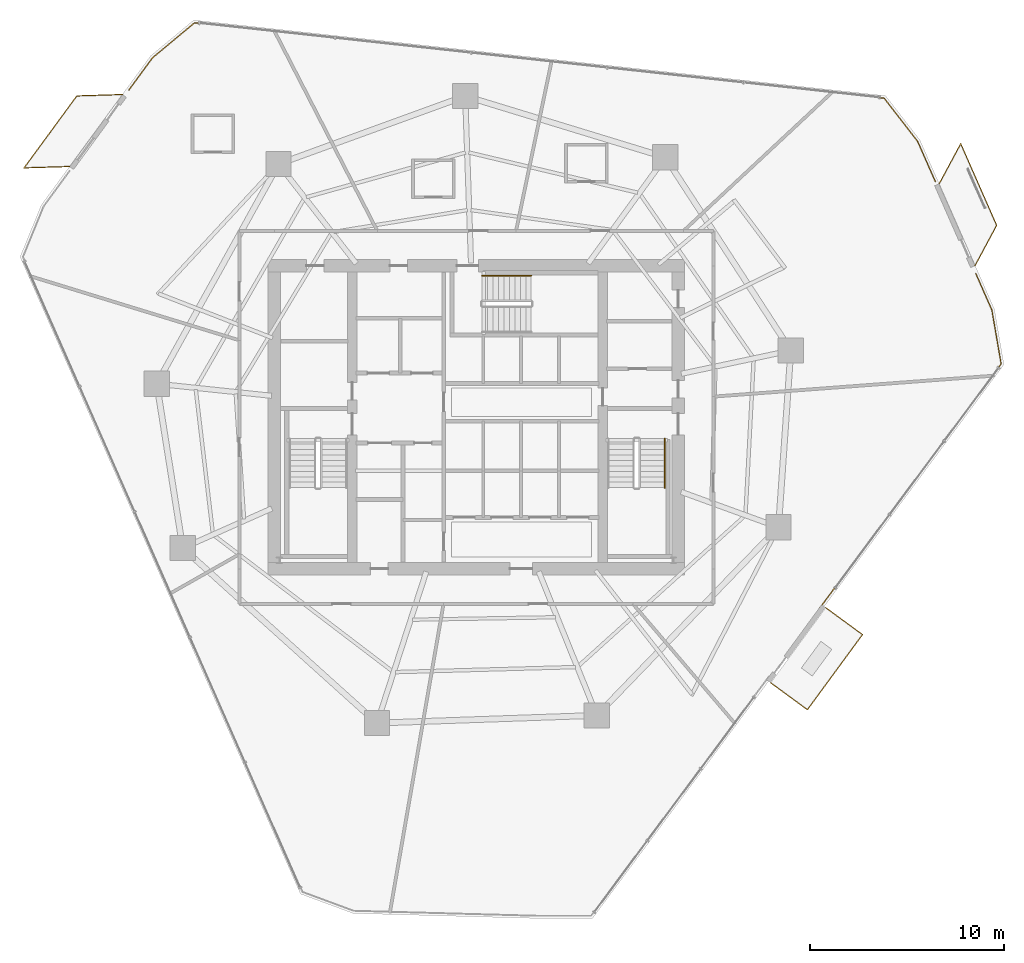
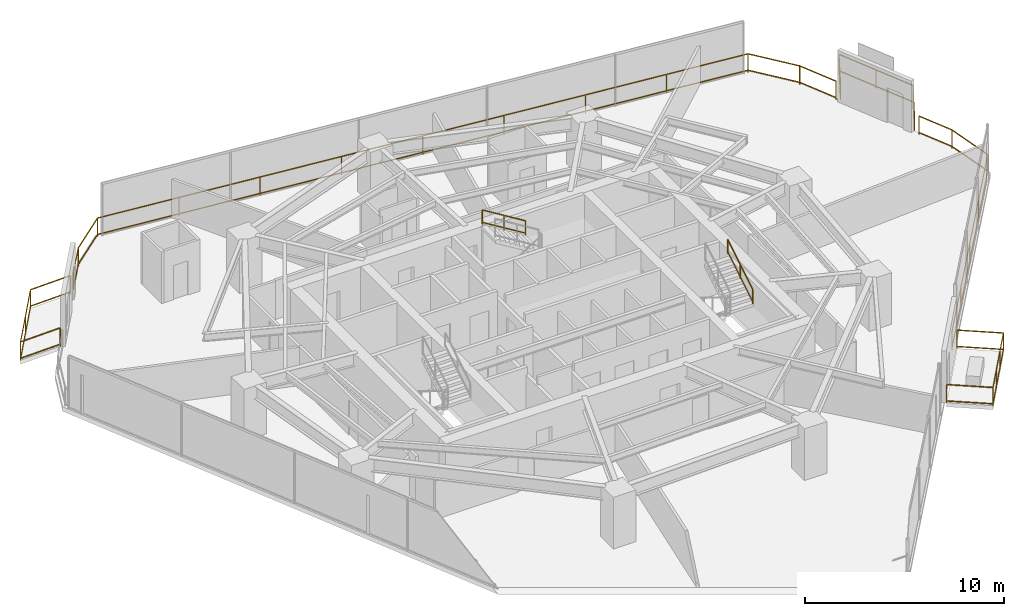
# One storey, part 28 of 28: 8 railings.
"""IFC4 building model written with IfcOpenShell, lengths in metres."""

from ifc_helpers import new_model, si_unit, direction, frame, origin, origin_2d, place, context, subcontext, project, spatial, rectangle, extrude, material, type_object, element, save


model = new_model("IFC4")

# Units and contexts
model_context = context("Model", 3, precision=1e-05, world=origin(), true_north=direction((0.0, 1.0)))
body_context = subcontext(model_context, "Body", "Model", "MODEL_VIEW")
ifc_project = project(units=[si_unit("LENGTHUNIT", "METRE"), si_unit("AREAUNIT", "SQUARE_METRE"), si_unit("VOLUMEUNIT", "CUBIC_METRE"), si_unit("PLANEANGLEUNIT", "RADIAN"), si_unit("MASSUNIT", "GRAM", prefix="KILO")], contexts=[model_context])

# Site, building, storey
site_placement = place(None, origin())
site = spatial("IfcSite", under=ifc_project, at=site_placement, CompositionType="ELEMENT")
building_placement = place(site_placement, origin())
building = spatial("IfcBuilding", under=site, at=building_placement, Name="Qarnah Convention Tower", CompositionType="ELEMENT")
storey_placement = place(building_placement, frame((0.0, 0.0, 44.25)))
storey = spatial("IfcBuildingStorey", under=building, at=storey_placement, Name="L10", CompositionType="ELEMENT", Elevation=44.25)

# Railings
ifc_material_1 = material(Name="Black anodised aluminium", Category="aluminium")
railing_type_1 = type_object("IfcRailingType", Name="RL-EXT-GUARD-1150", PredefinedType="GUARDRAIL", material=ifc_material_1)
railing_1_placement = place(storey_placement, frame((59.9169921875, 40.60693359375, 0.0)))
element("IfcRailing", 1, at=railing_1_placement, inside=storey, type_object=railing_type_1, Name="L10 slab-edge perimeter safety guard 01", PredefinedType="GUARDRAIL", context=body_context, shape_type="SweptSolid", body=[
    extrude(rectangle(XDim=0.048095703125, YDim=0.048095703125, at=origin_2d()), frame((0.0, 0.0, 1.1259765625), z_axis=(0.402980270888, -0.915208665428, 0.0), x_axis=(0.915208665428, 0.402980270888, 0.0)), (0.0, 0.0, 1.0), 2.268310546875),
    extrude(rectangle(XDim=0.048095703125, YDim=0.048095703125, at=origin_2d()), frame((0.0, 0.0, 0.1201171875), z_axis=(0.402980270888, -0.915208665428, 0.0), x_axis=(0.915208665428, 0.402980270888, 0.0)), (0.0, 0.0, 1.0), 2.268310546875),
    extrude(rectangle(XDim=0.0419921875, YDim=0.0419921875, at=origin_2d()), origin(), (0.0, 0.0, 1.0), 1.101806640625),
    extrude(rectangle(XDim=0.0419921875, YDim=0.0419921875, at=origin_2d()), frame((0.9140625, -2.075927734375, 0.0)), (0.0, 0.0, 1.0), 1.101806640625),
])
railing_2_placement = place(storey_placement, frame((62.908935546875, 33.80810546875, 0.0)))
element("IfcRailing", 2, at=railing_2_placement, inside=storey, type_object=railing_type_1, Name="L10 slab-edge perimeter safety guard 02", PredefinedType="GUARDRAIL", context=body_context, shape_type="SweptSolid", body=[
    extrude(rectangle(XDim=0.048095703125, YDim=0.048095703125, at=origin_2d()), frame((0.0, 0.0, 1.1259765625), z_axis=(0.402965262482, -0.915215273711, 0.0), x_axis=(0.915215273711, 0.402965262482, 0.0)), (0.0, 0.0, 1.0), 2.0576171875),
    extrude(rectangle(XDim=0.048095703125, YDim=0.048095703125, at=origin_2d()), frame((0.0, 0.0, 0.1201171875), z_axis=(0.402965262482, -0.915215273711, 0.0), x_axis=(0.915215273711, 0.402965262482, 0.0)), (0.0, 0.0, 1.0), 2.0576171875),
    extrude(rectangle(XDim=0.048095703125, YDim=0.048095703125, at=origin_2d()), frame((0.8291015625, -1.883056640625, 1.1259765625), z_axis=(0.169604616583, -0.985512188679, 0.0), x_axis=(0.985512188679, 0.169604616583, 0.0)), (0.0, 0.0, 1.0), 2.812744140625),
    extrude(rectangle(XDim=0.048095703125, YDim=0.048095703125, at=origin_2d()), frame((0.8291015625, -1.883056640625, 0.1201171875), z_axis=(0.169604616583, -0.985512188679, 0.0), x_axis=(0.985512188679, 0.169604616583, 0.0)), (0.0, 0.0, 1.0), 2.812744140625),
    extrude(rectangle(XDim=0.048095703125, YDim=0.048095703125, at=origin_2d()), frame((1.30615234375, -4.655029296875, 1.1259765625), z_axis=(-0.596339214939, -0.802732546199, 0.0), x_axis=(0.802732546199, -0.596339214939, 0.0)), (0.0, 0.0, 1.0), 15.6591796875),
    extrude(rectangle(XDim=0.048095703125, YDim=0.048095703125, at=origin_2d()), frame((1.30615234375, -4.655029296875, 0.1201171875), z_axis=(-0.596339214939, -0.802732546199, 0.0), x_axis=(0.802732546199, -0.596339214939, 0.0)), (0.0, 0.0, 1.0), 15.6591796875),
    extrude(rectangle(XDim=0.0419921875, YDim=0.0419921875, at=origin_2d()), origin(), (0.0, 0.0, 1.0), 1.101806640625),
    extrude(rectangle(XDim=0.0419921875, YDim=0.0419921875, at=origin_2d()), frame((0.8291015625, -1.883056640625, 0.0)), (0.0, 0.0, 1.0), 1.101806640625),
    extrude(rectangle(XDim=0.0419921875, YDim=0.0419921875, at=origin_2d()), frame((1.30615234375, -4.655029296875, 0.0)), (0.0, 0.0, 1.0), 1.101806640625),
    extrude(rectangle(XDim=0.0419921875, YDim=0.0419921875, at=origin_2d()), frame((-1.0283203125, -7.797607421875, 0.0)), (0.0, 0.0, 1.0), 1.101806640625),
    extrude(rectangle(XDim=0.0419921875, YDim=0.0419921875, at=origin_2d()), frame((-3.36279296875, -10.93994140625, 0.0)), (0.0, 0.0, 1.0), 1.101806640625),
    extrude(rectangle(XDim=0.0419921875, YDim=0.0419921875, at=origin_2d()), frame((-5.697509765625, -14.08251953125, 0.0)), (0.0, 0.0, 1.0), 1.101806640625),
    extrude(rectangle(XDim=0.0419921875, YDim=0.0419921875, at=origin_2d()), frame((-8.031982421875, -17.22509765625, 0.0)), (0.0, 0.0, 1.0), 1.101806640625),
])
railing_3_placement = place(storey_placement, frame((19.30908203125, 43.2548828125, 0.0)))
element("IfcRailing", 3, at=railing_3_placement, inside=storey, type_object=railing_type_1, Name="L10 slab-edge perimeter safety guard 04", PredefinedType="GUARDRAIL", context=body_context, shape_type="SweptSolid", body=[
    extrude(rectangle(XDim=0.048095703125, YDim=0.048095703125, at=origin_2d()), frame((0.0, 0.0, 1.1259765625), z_axis=(0.591301892073, 0.806450291358, 0.0), x_axis=(-0.806450291358, 0.591301892073, 0.0)), (0.0, 0.0, 1.0), 2.05615234375),
    extrude(rectangle(XDim=0.048095703125, YDim=0.048095703125, at=origin_2d()), frame((0.0, 0.0, 0.1201171875), z_axis=(0.591301892073, 0.806450291358, 0.0), x_axis=(-0.806450291358, 0.591301892073, 0.0)), (0.0, 0.0, 1.0), 2.05615234375),
    extrude(rectangle(XDim=0.048095703125, YDim=0.048095703125, at=origin_2d()), frame((1.2158203125, 1.658203125, 1.1259765625), z_axis=(0.7687333176, 0.639569453938, 0.0), x_axis=(-0.639569453938, 0.7687333176, 0.0)), (0.0, 0.0, 1.0), 2.8125),
    extrude(rectangle(XDim=0.048095703125, YDim=0.048095703125, at=origin_2d()), frame((1.2158203125, 1.658203125, 0.1201171875), z_axis=(0.7687333176, 0.639569453938, 0.0), x_axis=(-0.639569453938, 0.7687333176, 0.0)), (0.0, 0.0, 1.0), 2.8125),
    extrude(rectangle(XDim=0.048095703125, YDim=0.048095703125, at=origin_2d()), frame((3.3779296875, 3.45703125, 1.1259765625), z_axis=(0.99407698881, -0.108678150141, 0.0), x_axis=(0.108678150141, 0.99407698881, 0.0)), (0.0, 0.0, 1.0), 35.71875),
    extrude(rectangle(XDim=0.048095703125, YDim=0.048095703125, at=origin_2d()), frame((3.3779296875, 3.45703125, 0.1201171875), z_axis=(0.99407698881, -0.108678150141, 0.0), x_axis=(0.108678150141, 0.99407698881, 0.0)), (0.0, 0.0, 1.0), 35.71875),
    extrude(rectangle(XDim=0.048095703125, YDim=0.048095703125, at=origin_2d()), frame((38.885009765625, -0.4248046875, 1.1259765625), z_axis=(0.612563530869, -0.790421356397, 0.0), x_axis=(0.790421356397, 0.612563530869, 0.0)), (0.0, 0.0, 1.0), 2.8125),
    extrude(rectangle(XDim=0.048095703125, YDim=0.048095703125, at=origin_2d()), frame((38.885009765625, -0.4248046875, 0.1201171875), z_axis=(0.612563530869, -0.790421356397, 0.0), x_axis=(0.790421356397, 0.612563530869, 0.0)), (0.0, 0.0, 1.0), 2.8125),
    extrude(rectangle(XDim=0.0419921875, YDim=0.0419921875, at=origin_2d()), origin(), (0.0, 0.0, 1.0), 1.101806640625),
    extrude(rectangle(XDim=0.0419921875, YDim=0.0419921875, at=origin_2d()), frame((1.2158203125, 1.658203125, 0.0)), (0.0, 0.0, 1.0), 1.101806640625),
    extrude(rectangle(XDim=0.0419921875, YDim=0.0419921875, at=origin_2d()), frame((3.3779296875, 3.45703125, 0.0)), (0.0, 0.0, 1.0), 1.101806640625),
    extrude(rectangle(XDim=0.0419921875, YDim=0.0419921875, at=origin_2d()), frame((7.81640625, 2.9716796875, 0.0)), (0.0, 0.0, 1.0), 1.101806640625),
    extrude(rectangle(XDim=0.0419921875, YDim=0.0419921875, at=origin_2d()), frame((12.254638671875, 2.486572265625, 0.0)), (0.0, 0.0, 1.0), 1.101806640625),
    extrude(rectangle(XDim=0.0419921875, YDim=0.0419921875, at=origin_2d()), frame((16.693115234375, 2.00146484375, 0.0)), (0.0, 0.0, 1.0), 1.101806640625),
    extrude(rectangle(XDim=0.0419921875, YDim=0.0419921875, at=origin_2d()), frame((21.13134765625, 1.51611328125, 0.0)), (0.0, 0.0, 1.0), 1.101806640625),
    extrude(rectangle(XDim=0.0419921875, YDim=0.0419921875, at=origin_2d()), frame((25.56982421875, 1.03076171875, 0.0)), (0.0, 0.0, 1.0), 1.101806640625),
    extrude(rectangle(XDim=0.0419921875, YDim=0.0419921875, at=origin_2d()), frame((30.00830078125, 0.545654296875, 0.0)), (0.0, 0.0, 1.0), 1.101806640625),
    extrude(rectangle(XDim=0.0419921875, YDim=0.0419921875, at=origin_2d()), frame((34.446533203125, 0.060546875, 0.0)), (0.0, 0.0, 1.0), 1.101806640625),
    extrude(rectangle(XDim=0.0419921875, YDim=0.0419921875, at=origin_2d()), frame((38.885009765625, -0.4248046875, 0.0)), (0.0, 0.0, 1.0), 1.101806640625),
    extrude(rectangle(XDim=0.0419921875, YDim=0.0419921875, at=origin_2d()), frame((40.60791015625, -2.64794921875, 0.0)), (0.0, 0.0, 1.0), 1.101806640625),
])
railing_4_placement = place(storey_placement, frame((61.02392578125, 38.426025390625, 0.0)))
element("IfcRailing", 4, at=railing_4_placement, inside=storey, type_object=railing_type_1, Name="L10 balcony safety guard BAL-L10-C1", PredefinedType="GUARDRAIL", context=body_context, shape_type="SweptSolid", body=[
    extrude(rectangle(XDim=0.048095703125, YDim=0.048095703125, at=origin_2d()), frame((0.0, 0.0, 1.1259765625), z_axis=(0.473311987014, 0.880894864867, 0.0), x_axis=(-0.880894864867, 0.473311987014, 0.0)), (0.0, 0.0, 1.0), 2.347412109375),
    extrude(rectangle(XDim=0.048095703125, YDim=0.048095703125, at=origin_2d()), frame((0.0, 0.0, 0.1201171875), z_axis=(0.473311987014, 0.880894864867, 0.0), x_axis=(-0.880894864867, 0.473311987014, 0.0)), (0.0, 0.0, 1.0), 2.347412109375),
    extrude(rectangle(XDim=0.048095703125, YDim=0.048095703125, at=origin_2d()), frame((1.111083984375, 2.06787109375, 1.1259765625), z_axis=(0.402856006922, -0.915263370668, 0.0), x_axis=(0.915263370668, 0.402856006922, 0.0)), (0.0, 0.0, 1.0), 4.599609375),
    extrude(rectangle(XDim=0.048095703125, YDim=0.048095703125, at=origin_2d()), frame((1.111083984375, 2.06787109375, 0.1201171875), z_axis=(0.402856006922, -0.915263370668, 0.0), x_axis=(0.915263370668, 0.402856006922, 0.0)), (0.0, 0.0, 1.0), 4.599609375),
    extrude(rectangle(XDim=0.048095703125, YDim=0.048095703125, at=origin_2d()), frame((2.964111328125, -2.14208984375, 1.1259765625), z_axis=(-0.472815735599, -0.881161324713, 0.0), x_axis=(0.881161324713, -0.472815735599, 0.0)), (0.0, 0.0, 1.0), 2.347900390625),
    extrude(rectangle(XDim=0.048095703125, YDim=0.048095703125, at=origin_2d()), frame((2.964111328125, -2.14208984375, 0.1201171875), z_axis=(-0.472815735599, -0.881161324713, 0.0), x_axis=(0.881161324713, -0.472815735599, 0.0)), (0.0, 0.0, 1.0), 2.347900390625),
    extrude(rectangle(XDim=0.0419921875, YDim=0.0419921875, at=origin_2d()), origin(), (0.0, 0.0, 1.0), 1.101806640625),
    extrude(rectangle(XDim=0.0419921875, YDim=0.0419921875, at=origin_2d()), frame((1.111083984375, 2.06787109375, 0.0)), (0.0, 0.0, 1.0), 1.101806640625),
    extrude(rectangle(XDim=0.0419921875, YDim=0.0419921875, at=origin_2d()), frame((2.03759765625, -0.037109375, 0.0)), (0.0, 0.0, 1.0), 1.101806640625),
    extrude(rectangle(XDim=0.0419921875, YDim=0.0419921875, at=origin_2d()), frame((2.964111328125, -2.14208984375, 0.0)), (0.0, 0.0, 1.0), 1.101806640625),
    extrude(rectangle(XDim=0.0419921875, YDim=0.0419921875, at=origin_2d()), frame((1.85400390625, -4.2109375, 0.0)), (0.0, 0.0, 1.0), 1.101806640625),
])
railing_5_placement = place(storey_placement, frame((16.251953125, 39.31298828125, 0.0)))
element("IfcRailing", 5, at=railing_5_placement, inside=storey, type_object=railing_type_1, Name="L10 balcony safety guard BAL-L10-C2", PredefinedType="GUARDRAIL", context=body_context, shape_type="SweptSolid", body=[
    extrude(rectangle(XDim=0.048095703125, YDim=0.048095703125, at=origin_2d()), frame((0.0, 0.0, 1.1259765625), z_axis=(-0.999529076042, -0.030685927509, 0.0), x_axis=(0.030685927509, -0.999529076042, 0.0)), (0.0, 0.0, 1.0), 2.34716796875),
    extrude(rectangle(XDim=0.048095703125, YDim=0.048095703125, at=origin_2d()), frame((0.0, 0.0, 0.1201171875), z_axis=(-0.999529076042, -0.030685927509, 0.0), x_axis=(0.030685927509, -0.999529076042, 0.0)), (0.0, 0.0, 1.0), 2.34716796875),
    extrude(rectangle(XDim=0.048095703125, YDim=0.048095703125, at=origin_2d()), frame((-2.345947265625, -0.072021484375, 1.1259765625), z_axis=(0.591131230455, 0.806575395348, 0.0), x_axis=(-0.806575395348, 0.591131230455, 0.0)), (0.0, 0.0, 1.0), 4.599609375),
    extrude(rectangle(XDim=0.048095703125, YDim=0.048095703125, at=origin_2d()), frame((-2.345947265625, -0.072021484375, 0.1201171875), z_axis=(0.591131230455, 0.806575395348, 0.0), x_axis=(-0.806575395348, 0.591131230455, 0.0)), (0.0, 0.0, 1.0), 4.599609375),
    extrude(rectangle(XDim=0.048095703125, YDim=0.048095703125, at=origin_2d()), frame((0.373046875, 3.637939453125, 1.1259765625), z_axis=(0.999516630192, 0.031088679125, 0.0), x_axis=(-0.031088679125, 0.999516630192, 0.0)), (0.0, 0.0, 1.0), 2.34814453125),
    extrude(rectangle(XDim=0.048095703125, YDim=0.048095703125, at=origin_2d()), frame((0.373046875, 3.637939453125, 0.1201171875), z_axis=(0.999516630192, 0.031088679125, 0.0), x_axis=(-0.031088679125, 0.999516630192, 0.0)), (0.0, 0.0, 1.0), 2.34814453125),
    extrude(rectangle(XDim=0.0419921875, YDim=0.0419921875, at=origin_2d()), origin(), (0.0, 0.0, 1.0), 1.101806640625),
    extrude(rectangle(XDim=0.0419921875, YDim=0.0419921875, at=origin_2d()), frame((-2.345947265625, -0.072021484375, 0.0)), (0.0, 0.0, 1.0), 1.101806640625),
    extrude(rectangle(XDim=0.0419921875, YDim=0.0419921875, at=origin_2d()), frame((-0.986328125, 1.782958984375, 0.0)), (0.0, 0.0, 1.0), 1.101806640625),
    extrude(rectangle(XDim=0.0419921875, YDim=0.0419921875, at=origin_2d()), frame((0.373046875, 3.637939453125, 0.0)), (0.0, 0.0, 1.0), 1.101806640625),
    extrude(rectangle(XDim=0.0419921875, YDim=0.0419921875, at=origin_2d()), frame((2.719970703125, 3.7109375, 0.0)), (0.0, 0.0, 1.0), 1.101806640625),
])
railing_6_placement = place(storey_placement, frame((55.18603515625, 16.60400390625, 0.0)))
element("IfcRailing", 6, at=railing_6_placement, inside=storey, type_object=railing_type_1, Name="L10 balcony safety guard VN-L10", PredefinedType="GUARDRAIL", context=body_context, shape_type="SweptSolid", body=[
    extrude(rectangle(XDim=0.048095703125, YDim=0.048095703125, at=origin_2d()), frame((0.0, 0.0, 1.1259765625), z_axis=(0.806560234507, -0.591151916273, 0.0), x_axis=(0.591151916273, 0.806560234507, 0.0)), (0.0, 0.0, 1.0), 2.349609375),
    extrude(rectangle(XDim=0.048095703125, YDim=0.048095703125, at=origin_2d()), frame((0.0, 0.0, 0.1201171875), z_axis=(0.806560234507, -0.591151916273, 0.0), x_axis=(0.591151916273, 0.806560234507, 0.0)), (0.0, 0.0, 1.0), 2.349609375),
    extrude(rectangle(XDim=0.048095703125, YDim=0.048095703125, at=origin_2d()), frame((1.89501953125, -1.388916015625, 1.1259765625), z_axis=(-0.591273254528, -0.806471288069, 0.0), x_axis=(0.806471288069, -0.591273254528, 0.0)), (0.0, 0.0, 1.0), 4.800048828125),
    extrude(rectangle(XDim=0.048095703125, YDim=0.048095703125, at=origin_2d()), frame((1.89501953125, -1.388916015625, 0.1201171875), z_axis=(-0.591273254528, -0.806471288069, 0.0), x_axis=(0.806471288069, -0.591273254528, 0.0)), (0.0, 0.0, 1.0), 4.800048828125),
    extrude(rectangle(XDim=0.048095703125, YDim=0.048095703125, at=origin_2d()), frame((-0.943115234375, -5.260009765625, 1.1259765625), z_axis=(-0.806560234507, 0.591151916273, 0.0), x_axis=(-0.591151916273, -0.806560234507, 0.0)), (0.0, 0.0, 1.0), 2.349609375),
    extrude(rectangle(XDim=0.048095703125, YDim=0.048095703125, at=origin_2d()), frame((-0.943115234375, -5.260009765625, 0.1201171875), z_axis=(-0.806560234507, 0.591151916273, 0.0), x_axis=(-0.591151916273, -0.806560234507, 0.0)), (0.0, 0.0, 1.0), 2.349609375),
    extrude(rectangle(XDim=0.0419921875, YDim=0.0419921875, at=origin_2d()), origin(), (0.0, 0.0, 1.0), 1.101806640625),
    extrude(rectangle(XDim=0.0419921875, YDim=0.0419921875, at=origin_2d()), frame((1.89501953125, -1.388916015625, 0.0)), (0.0, 0.0, 1.0), 1.101806640625),
    extrude(rectangle(XDim=0.0419921875, YDim=0.0419921875, at=origin_2d()), frame((0.948974609375, -2.67919921875, 0.0)), (0.0, 0.0, 1.0), 1.101806640625),
    extrude(rectangle(XDim=0.0419921875, YDim=0.0419921875, at=origin_2d()), frame((0.0029296875, -3.9697265625, 0.0)), (0.0, 0.0, 1.0), 1.101806640625),
    extrude(rectangle(XDim=0.0419921875, YDim=0.0419921875, at=origin_2d()), frame((-0.943115234375, -5.260009765625, 0.0)), (0.0, 0.0, 1.0), 1.101806640625),
    extrude(rectangle(XDim=0.0419921875, YDim=0.0419921875, at=origin_2d()), frame((-2.838134765625, -3.87109375, 0.0)), (0.0, 0.0, 1.0), 1.101806640625),
])
ifc_material_2 = material(Name="Structural steel S355JR", Category="steel")
railing_type_2 = type_object("IfcRailingType", Name="RL-STAIR-HAND-900", PredefinedType="HANDRAIL", material=ifc_material_2)
railing_7_placement = place(storey_placement, frame((46.89990234375, 22.780029296875, 1.8974609375)))
element("IfcRailing", 7, at=railing_7_placement, inside=storey, type_object=railing_type_2, Name="L10 ST-2 stair handrail 2", PredefinedType="HANDRAIL", context=body_context, shape_type="SweptSolid", body=[
    extrude(rectangle(XDim=0.048095703125, YDim=0.048095703125, at=origin_2d()), frame((0.0, 0.0, 0.8759765625), z_axis=(0.0, 0.851400495292, 0.524516154772), x_axis=(-1.0, 0.0, 0.0)), (0.0, 0.0, 1.0), 2.9599609375),
    extrude(rectangle(XDim=0.048095703125, YDim=0.048095703125, at=origin_2d()), frame((0.0, 0.0, 0.1201171875), z_axis=(0.0, 0.851400495292, 0.524516154772), x_axis=(-1.0, 0.0, 0.0)), (0.0, 0.0, 1.0), 2.9599609375),
    extrude(rectangle(XDim=0.0419921875, YDim=0.0419921875, at=origin_2d()), origin(), (0.0, 0.0, 1.0), 0.851806640625),
    extrude(rectangle(XDim=0.0419921875, YDim=0.0419921875, at=origin_2d()), frame((0.0, 1.260009765625, 0.7763671875)), (0.0, 0.0, 1.0), 0.851806640625),
    extrude(rectangle(XDim=0.0419921875, YDim=0.0419921875, at=origin_2d()), frame((0.0, 2.52001953125, 1.552490234375)), (0.0, 0.0, 1.0), 0.851806640625),
])
railing_8_placement = place(storey_placement, frame((40.02001953125, 33.699951171875, 1.8974609375)))
element("IfcRailing", 8, at=railing_8_placement, inside=storey, type_object=railing_type_2, Name="L10 ST-3 stair handrail 2", PredefinedType="HANDRAIL", context=body_context, shape_type="SweptSolid", body=[
    extrude(rectangle(XDim=0.048095703125, YDim=0.048095703125, at=origin_2d()), frame((0.0, 0.0, 0.8759765625), z_axis=(-0.851400495292, 0.0, 0.524516154772), x_axis=(0.0, -1.0, 0.0)), (0.0, 0.0, 1.0), 2.9599609375),
    extrude(rectangle(XDim=0.048095703125, YDim=0.048095703125, at=origin_2d()), frame((0.0, 0.0, 0.1201171875), z_axis=(-0.851400495292, 0.0, 0.524516154772), x_axis=(0.0, -1.0, 0.0)), (0.0, 0.0, 1.0), 2.9599609375),
    extrude(rectangle(XDim=0.0419921875, YDim=0.0419921875, at=origin_2d()), origin(), (0.0, 0.0, 1.0), 0.851806640625),
    extrude(rectangle(XDim=0.0419921875, YDim=0.0419921875, at=origin_2d()), frame((-1.260009765625, 0.0, 0.7763671875)), (0.0, 0.0, 1.0), 0.851806640625),
    extrude(rectangle(XDim=0.0419921875, YDim=0.0419921875, at=origin_2d()), frame((-2.52001953125, 0.0, 1.552490234375)), (0.0, 0.0, 1.0), 0.851806640625),
])

save(model, "model.ifc")
